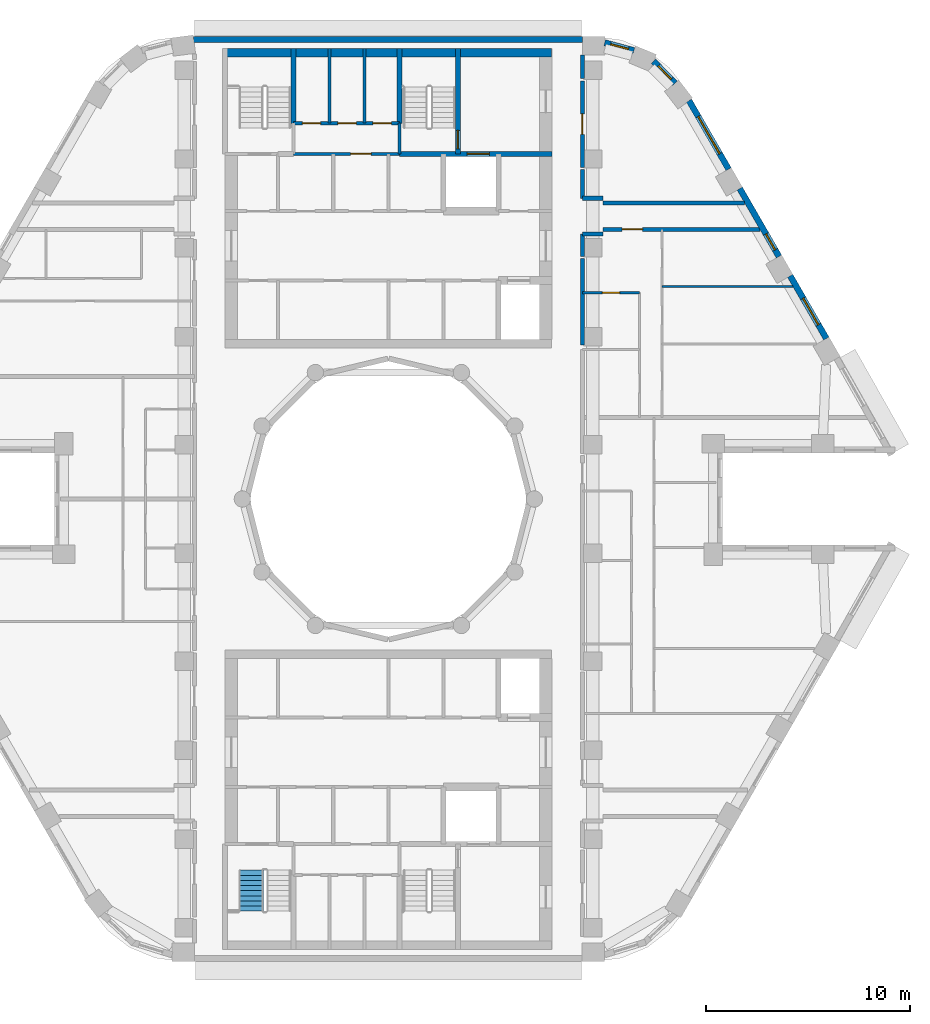
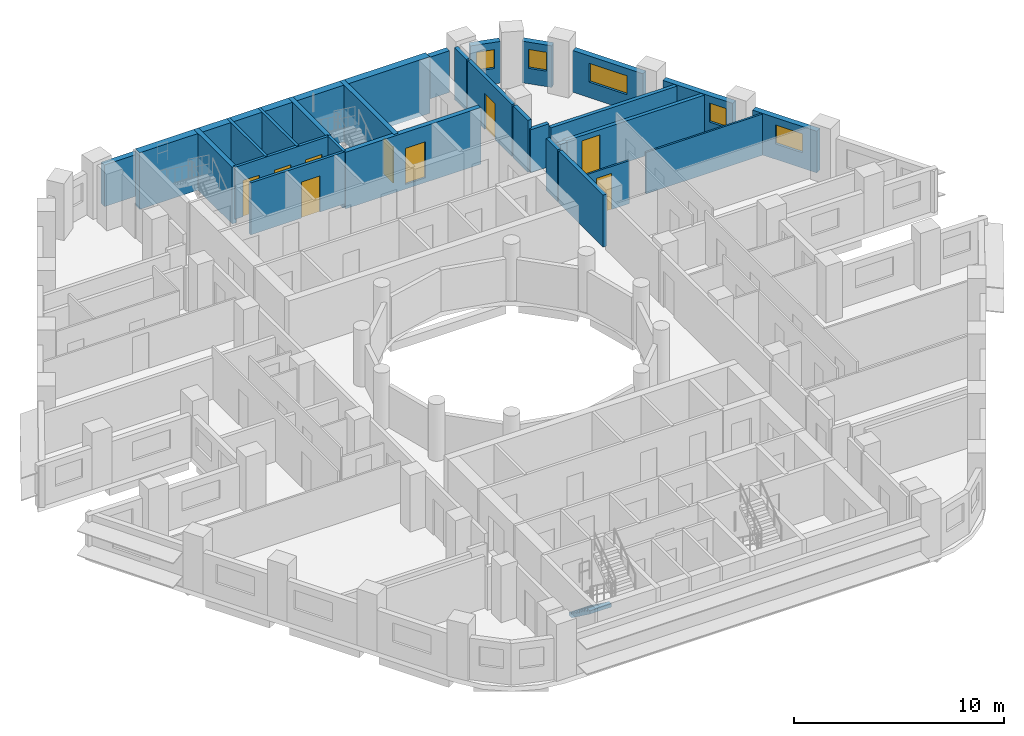
# One storey, part 8 of 12: 27 walls, 9 doors, 5 windows, 1 stair flight, 14 openings, 1 element without a shape of its own.
"""IFC4 building model written with IfcOpenShell, lengths in metres."""

from ifc_helpers import new_model, si_unit, direction, frame, frame_2d, origin, place, context, subcontext, project, spatial, polyline, rectangle, outline, extrude, material, layer, layer_set, type_object, element, fill, aggregate, save


model = new_model("IFC4")

# Units and contexts
model_context = context("Model", 3, precision=1e-05, world=origin(), true_north=direction((0.0, 1.0)))
body_context = subcontext(model_context, "Body", "Model", "MODEL_VIEW")
ifc_project = project(units=[si_unit("LENGTHUNIT", "METRE"), si_unit("AREAUNIT", "SQUARE_METRE"), si_unit("VOLUMEUNIT", "CUBIC_METRE"), si_unit("PLANEANGLEUNIT", "RADIAN"), si_unit("MASSUNIT", "GRAM", prefix="KILO")], contexts=[model_context])

# Site, building, storey
site_placement = place(None, origin())
site = spatial("IfcSite", under=ifc_project, at=site_placement, CompositionType="ELEMENT")
building_placement = place(site_placement, origin())
building = spatial("IfcBuilding", under=site, at=building_placement, Name="Nakaniwa Court", CompositionType="ELEMENT")
storey_placement = place(building_placement, frame((0.0, 0.0, 252.60009765625)))
storey = spatial("IfcBuildingStorey", under=building, at=storey_placement, Name="L66", CompositionType="ELEMENT", Elevation=252.60009765625)

# Walls
ifc_material_1 = material(Name="Acoustic double stud partition")
ifc_layer_1 = layer(ifc_material_1, 0.199951171875)
ifc_layer_set_1 = layer_set([ifc_layer_1], Name="Acoustic double stud partition")
wall_type_1 = type_object("IfcWallType", Name="Acoustic double stud partition 200", PredefinedType="PARTITIONING", material=ifc_layer_set_1)
wall_1_placement = place(storey_placement, frame((89.5, 87.537109375, 0.0), z_axis=(0.0, 0.0, 1.0), x_axis=(0.0, 1.0, 0.0)))
element("IfcWall", 1, at=wall_1_placement, inside=storey, type_object=wall_type_1, Name="Partition PW-065", PredefinedType="PARTITIONING", context=body_context, shape_type="SweptSolid", body=[
    extrude(rectangle(XDim=4.23583984375, YDim=0.199951171875, at=frame_2d((2.117919921875, 0.0))), origin(), (0.0, 0.0, 1.0), 3.02490234375),
])
wall_2_placement = place(storey_placement, frame((89.5, 91.886962890625, 0.0), z_axis=(0.0, 0.0, 1.0), x_axis=(0.0, 1.0, 0.0)))
element("IfcWall", 2, at=wall_2_placement, inside=storey, type_object=wall_type_1, Name="Partition PW-066", PredefinedType="PARTITIONING", context=body_context, shape_type="SweptSolid", body=[
    extrude(rectangle(XDim=1.091064453125, YDim=0.199951171875, at=frame_2d((0.54541015625, 0.0))), origin(), (0.0, 0.0, 1.0), 3.02490234375),
])
wall_3_placement = place(storey_placement, frame((89.5, 94.721923828125, 0.0), z_axis=(0.0, 0.0, 1.0), x_axis=(0.0, 1.0, 0.0)))
element("IfcWall", 3, at=wall_3_placement, inside=storey, type_object=wall_type_1, Name="Partition PW-067", PredefinedType="PARTITIONING", context=body_context, shape_type="SweptSolid", body=[
    extrude(rectangle(XDim=1.401123046875, YDim=0.199951171875, at=frame_2d((0.70068359375, 0.0))), origin(), (0.0, 0.0, 1.0), 3.02490234375),
])

# Wall, opening, door
wall_4_placement = place(storey_placement, frame((89.5, 100.472900390625, 0.0), z_axis=(0.0, 0.0, 1.0), x_axis=(0.0, -1.0, 0.0)))
wall_4 = element("IfcWall", 4, at=wall_4_placement, inside=storey, type_object=wall_type_1, Name="Partition PW-068", PredefinedType="PARTITIONING", context=body_context, shape_type="SweptSolid", body=[
    extrude(rectangle(XDim=4.23583984375, YDim=0.199951171875, at=frame_2d((2.117919921875, 0.0))), origin(), (0.0, 0.0, 1.0), 3.02490234375),
])
opening_1_placement = place(wall_4_placement, frame((1.617919921875, 0.0, 0.0)))
opening_1 = element("IfcOpeningElement", 5, at=opening_1_placement, cuts=wall_4, Name="Opening D-02-04", PredefinedType="OPENING", context=body_context, shape_type="SweptSolid", body=[
    extrude(rectangle(XDim=1.0, YDim=2.10009765625, at=frame_2d((0.5, 1.050048828125))), frame((0.0, 0.10986328125, 0.0), z_axis=(0.0, -1.0, 0.0), x_axis=(1.0, 0.0, 0.0)), (0.0, 0.0, 1.0), 0.219970703125),
])
ifc_material_2 = material(Name="Solid core timber door set, black veneer", Category="wood")
door_type_1 = type_object("IfcDoorType", Name="Internal door 1000", OperationType="NOTDEFINED", PredefinedType="DOOR", material=ifc_material_2)
door_1_placement = place(opening_1_placement, origin())
door_1 = element("IfcDoor", 6, at=door_1_placement, inside=storey, type_object=door_type_1, Name="Door D-02-04 L66-060", OperationType="SINGLE_SWING_LEFT", OverallHeight=2.10009765625, OverallWidth=1.0, PredefinedType="DOOR", context=body_context, shape_type="SweptSolid", body=[
    extrude(rectangle(XDim=1.0, YDim=2.10009765625, at=frame_2d((0.5, 1.050048828125))), frame((0.0, 0.02490234375, 0.0), z_axis=(0.0, -1.0, 0.0), x_axis=(1.0, 0.0, 0.0)), (0.0, 0.0, 1.0), 0.050048828125),
])
fill(opening_1, door_1)

# Wall
wall_5_placement = place(storey_placement, frame((89.5, 100.5869140625, 0.0), z_axis=(0.0, 0.0, 1.0), x_axis=(0.0, 1.0, 0.0)))
element("IfcWall", 7, at=wall_5_placement, inside=storey, type_object=wall_type_1, Name="Partition PW-069", PredefinedType="PARTITIONING", context=body_context, shape_type="SweptSolid", body=[
    extrude(rectangle(XDim=1.14599609375, YDim=0.199951171875, at=frame_2d((0.572998046875, 0.0))), origin(), (0.0, 0.0, 1.0), 3.02490234375),
])

# Wall, opening, door
wall_6_placement = place(storey_placement, frame((98.1865234375, 93.199951171875, 0.0), z_axis=(0.0, 0.0, 1.0), x_axis=(-1.0, 0.0, 0.0)))
wall_6 = element("IfcWall", 8, at=wall_6_placement, inside=storey, type_object=wall_type_1, Name="Partition PW-071", PredefinedType="PARTITIONING", context=body_context, shape_type="SweptSolid", body=[
    extrude(rectangle(XDim=7.6865234375, YDim=0.199951171875, at=frame_2d((3.84326171875, 0.0))), origin(), (0.0, 0.0, 1.0), 2.40478515625),
])
opening_2_placement = place(wall_6_placement, frame((5.737060546875, 0.0, 0.0)))
opening_2 = element("IfcOpeningElement", 9, at=opening_2_placement, cuts=wall_6, Name="Opening D-01-02", PredefinedType="OPENING", context=body_context, shape_type="SweptSolid", body=[
    extrude(rectangle(XDim=1.0, YDim=2.10009765625, at=frame_2d((0.5, 1.050048828125))), frame((0.0, 0.10986328125, 0.0), z_axis=(0.0, -1.0, 0.0), x_axis=(1.0, 0.0, 0.0)), (0.0, 0.0, 1.0), 0.219970703125),
])
door_type_2 = type_object("IfcDoorType", Name="Flat entrance door 1000", OperationType="NOTDEFINED", PredefinedType="DOOR", material=ifc_material_2)
door_2_placement = place(opening_2_placement, origin())
door_2 = element("IfcDoor", 10, at=door_2_placement, inside=storey, type_object=door_type_2, Name="Door D-01-02 L66-040", OperationType="SINGLE_SWING_LEFT", OverallHeight=2.10009765625, OverallWidth=1.0, PredefinedType="DOOR", context=body_context, shape_type="SweptSolid", body=[
    extrude(rectangle(XDim=1.0, YDim=2.10009765625, at=frame_2d((0.5, 1.050048828125))), frame((0.0, 0.02490234375, 0.0), z_axis=(0.0, -1.0, 0.0), x_axis=(1.0, 0.0, 0.0)), (0.0, 0.0, 1.0), 0.050048828125),
])
fill(opening_2, door_2)

# Walls
for number, where, z_axis, x_axis, name in (
    (11, (89.5, 92.97509765625, 0.0), (0.0, 0.0, 1.0), (1.0, 0.0, 0.0), "Partition PW-073"),
    (12, (89.5, 94.72509765625, 0.0), (0.0, 0.0, 1.0), (1.0, 0.0, 0.0), "Partition PW-075"),
):
    element("IfcWall", number, at=place(storey_placement, frame(where, z_axis=z_axis, x_axis=x_axis)), inside=storey, type_object=wall_type_1, Name=name, PredefinedType="PARTITIONING", context=body_context, shape_type="SweptSolid", body=[
        extrude(rectangle(XDim=1.0, YDim=0.199951171875, at=frame_2d((0.5, 0.0))), origin(), (0.0, 0.0, 1.0), 2.5048828125),
    ])
wall_7_placement = place(storey_placement, frame((90.5, 94.5, 0.0), z_axis=(0.0, 0.0, 1.0), x_axis=(1.0, 0.0, 0.0)))
element("IfcWall", 13, at=wall_7_placement, inside=storey, type_object=wall_type_1, Name="Partition PW-077", PredefinedType="PARTITIONING", context=body_context, shape_type="SweptSolid", body=[
    extrude(rectangle(XDim=6.93603515625, YDim=0.199951171875, at=frame_2d((3.468017578125, 0.0))), origin(), (0.0, 0.0, 1.0), 2.40478515625),
])

# Wall, opening, window
ifc_material_3 = material(Name="Charcoal ceramic cladding")
ifc_layer_2 = layer(ifc_material_3, 0.02, Name="Ceramic cladding")
ifc_material_4 = material(Name="Ventilated air cavity")
ifc_layer_3 = layer(ifc_material_4, 0.04, ventilated=True, Name="Ventilated cavity")
ifc_material_5 = material(Name="Mineral wool insulation")
ifc_layer_4 = layer(ifc_material_5, 0.1, Name="Insulation")
ifc_material_6 = material(Name="Cement bonded sheathing board")
ifc_layer_5 = layer(ifc_material_6, 0.012, Name="Sheathing")
ifc_material_7 = material(Name="Cold-formed galvanised stud frame with mineral wool infill")
ifc_layer_6 = layer(ifc_material_7, 0.1, Name="Stud frame")
ifc_material_8 = material(Name="Fire-rated gypsum plasterboard lining")
ifc_layer_7 = layer(ifc_material_8, 0.028, Name="Lining")
ifc_layer_set_2 = layer_set([ifc_layer_2, ifc_layer_3, ifc_layer_4, ifc_layer_5, ifc_layer_6, ifc_layer_7], Name="Charcoal ceramic faced external wall system")
wall_type_2 = type_object("IfcWallType", Name="Black ceramic faced external wall 300", PredefinedType="SOLIDWALL", material=ifc_layer_set_2)
wall_8_placement = place(storey_placement, frame((101.44580078125, 87.85498046875, 0.0), z_axis=(0.0, 0.0, 1.0), x_axis=(-0.500010404316, 0.866019396766, 0.0)))
wall_8 = element("IfcWall", 14, at=wall_8_placement, inside=storey, type_object=wall_type_2, Name="L66 external wall 03", PredefinedType="SOLIDWALL", context=body_context, shape_type="SweptSolid", body=[
    extrude(rectangle(XDim=3.54736328125, YDim=0.300048828125, at=frame_2d((1.773681640625, 0.0))), origin(), (0.0, 0.0, 1.0), 2.4248046875),
])
opening_3_placement = place(wall_8_placement, frame((0.780517578125, 0.0, 0.89990234375)))
opening_3 = element("IfcOpeningElement", 15, at=opening_3_placement, cuts=wall_8, Name="Opening W5.05", PredefinedType="OPENING", context=body_context, shape_type="SweptSolid", body=[
    extrude(rectangle(XDim=1.5, YDim=1.10009765625, at=frame_2d((0.75, 0.550048828125))), frame((0.0, 0.159912109375, 0.0), z_axis=(0.0, -1.0, 0.0), x_axis=(1.0, 0.0, 0.0)), (0.0, 0.0, 1.0), 0.320068359375),
])
ifc_material_9 = material(Name="Black anodised aluminium frame with dark low-E laminated double glazing", Category="aluminium")
window_type_1 = type_object("IfcWindowType", Name="Dark glass window 1500x1100 sill 900", PartitioningType="SINGLE_PANEL", PredefinedType="WINDOW", material=ifc_material_9)
window_1_placement = place(opening_3_placement, origin())
window_1 = element("IfcWindow", 16, at=window_1_placement, inside=storey, type_object=window_type_1, Name="L66 bedroom window 03-0", OverallHeight=1.10009765625, OverallWidth=1.5, PartitioningType="SINGLE_PANEL", PredefinedType="WINDOW", context=body_context, shape_type="SweptSolid", body=[
    extrude(rectangle(XDim=1.5, YDim=1.10009765625, at=frame_2d((0.75, 0.550048828125))), frame((0.0, 0.030029296875, 0.0), z_axis=(0.0, -1.0, 0.0), x_axis=(1.0, 0.0, 0.0)), (0.0, 0.0, 1.0), 0.06005859375),
])
fill(opening_3, window_1)

wall_9_placement = place(storey_placement, frame((99.126220703125, 91.87255859375, 0.0), z_axis=(0.0, 0.0, 1.0), x_axis=(-0.499984490703, 0.866034357896, 0.0)))
wall_9 = element("IfcWall", 17, at=wall_9_placement, inside=storey, type_object=wall_type_2, Name="L66 external wall 04", PredefinedType="SOLIDWALL", context=body_context, shape_type="SweptSolid", body=[
    extrude(rectangle(XDim=3.84423828125, YDim=0.300048828125, at=frame_2d((1.922119140625, 0.0))), origin(), (0.0, 0.0, 1.0), 2.4248046875),
])
opening_4_placement = place(wall_9_placement, frame((0.37744140625, 0.0, 0.89990234375)))
opening_4 = element("IfcOpeningElement", 18, at=opening_4_placement, cuts=wall_9, Name="Opening W9.06", PredefinedType="OPENING", context=body_context, shape_type="SweptSolid", body=[
    extrude(rectangle(XDim=0.89990234375, YDim=1.10009765625, at=frame_2d((0.449951171875, 0.550048828125))), frame((0.0, 0.159912109375, 0.0), z_axis=(0.0, -1.0, 0.0), x_axis=(1.0, 0.0, 0.0)), (0.0, 0.0, 1.0), 0.320068359375),
])
window_type_2 = type_object("IfcWindowType", Name="Dark glass window 900x1100 sill 900", PartitioningType="SINGLE_PANEL", PredefinedType="WINDOW", material=ifc_material_9)
window_2_placement = place(opening_4_placement, origin())
window_2 = element("IfcWindow", 19, at=window_2_placement, inside=storey, type_object=window_type_2, Name="L66 bedroom window 04-0", OverallHeight=1.10009765625, OverallWidth=0.89990234375, PartitioningType="SINGLE_PANEL", PredefinedType="WINDOW", context=body_context, shape_type="SweptSolid", body=[
    extrude(rectangle(XDim=0.89990234375, YDim=1.10009765625, at=frame_2d((0.449951171875, 0.550048828125))), frame((0.0, 0.030029296875, 0.0), z_axis=(0.0, -1.0, 0.0), x_axis=(1.0, 0.0, 0.0)), (0.0, 0.0, 1.0), 0.06005859375),
])
fill(opening_4, window_2)

wall_10_placement = place(storey_placement, frame((96.657958984375, 96.1474609375, 0.0), z_axis=(0.0, 0.0, 1.0), x_axis=(-0.500011218404, 0.866018926739, 0.0)))
wall_10 = element("IfcWall", 20, at=wall_10_placement, inside=storey, type_object=wall_type_2, Name="L66 external wall 05", PredefinedType="SOLIDWALL", context=body_context, shape_type="SweptSolid", body=[
    extrude(rectangle(XDim=3.87890625, YDim=0.300048828125, at=frame_2d((1.939453125, 0.0))), origin(), (0.0, 0.0, 1.0), 2.4248046875),
])
opening_5_placement = place(wall_10_placement, frame((0.878173828125, 0.0, 0.89990234375)))
opening_5 = element("IfcOpeningElement", 21, at=opening_5_placement, cuts=wall_10, Name="Opening W7.07", PredefinedType="OPENING", context=body_context, shape_type="SweptSolid", body=[
    extrude(rectangle(XDim=2.10009765625, YDim=1.10009765625, at=frame_2d((1.050048828125, 0.550048828125))), frame((0.0, 0.159912109375, 0.0), z_axis=(0.0, -1.0, 0.0), x_axis=(1.0, 0.0, 0.0)), (0.0, 0.0, 1.0), 0.320068359375),
])
window_type_3 = type_object("IfcWindowType", Name="Dark glass window 2100x1100 sill 900", PartitioningType="SINGLE_PANEL", PredefinedType="WINDOW", material=ifc_material_9)
window_3_placement = place(opening_5_placement, origin())
window_3 = element("IfcWindow", 22, at=window_3_placement, inside=storey, type_object=window_type_3, Name="L66 habitable room window 05-0", OverallHeight=1.10009765625, OverallWidth=2.10009765625, PartitioningType="SINGLE_PANEL", PredefinedType="WINDOW", context=body_context, shape_type="SweptSolid", body=[
    extrude(rectangle(XDim=2.10009765625, YDim=1.10009765625, at=frame_2d((1.050048828125, 0.550048828125))), frame((0.0, 0.030029296875, 0.0), z_axis=(0.0, -1.0, 0.0), x_axis=(1.0, 0.0, 0.0)), (0.0, 0.0, 1.0), 0.06005859375),
])
fill(opening_5, window_3)

wall_11_placement = place(storey_placement, frame((94.0341796875, 100.3583984375, 0.0), z_axis=(0.0, 0.0, 1.0), x_axis=(-0.698675602211, 0.71543860874, 0.0)))
wall_11 = element("IfcWall", 23, at=wall_11_placement, inside=storey, type_object=wall_type_2, Name="L66 external wall 06", PredefinedType="SOLIDWALL", context=body_context, shape_type="SweptSolid", body=[
    extrude(rectangle(XDim=1.5, YDim=0.300048828125, at=frame_2d((0.75, 0.0))), origin(), (0.0, 0.0, 1.0), 2.4248046875),
])
opening_6_placement = place(wall_11_placement, frame((0.27587890625, 0.0, 0.89990234375)))
opening_6 = element("IfcOpeningElement", 24, at=opening_6_placement, cuts=wall_11, Name="Opening W9.08", PredefinedType="OPENING", context=body_context, shape_type="SweptSolid", body=[
    extrude(rectangle(XDim=0.89990234375, YDim=1.10009765625, at=frame_2d((0.449951171875, 0.550048828125))), frame((0.0, 0.159912109375, 0.0), z_axis=(0.0, -1.0, 0.0), x_axis=(1.0, 0.0, 0.0)), (0.0, 0.0, 1.0), 0.320068359375),
])
window_4_placement = place(opening_6_placement, origin())
window_4 = element("IfcWindow", 25, at=window_4_placement, inside=storey, type_object=window_type_2, Name="L66 habitable room window 06-0", OverallHeight=1.10009765625, OverallWidth=0.89990234375, PartitioningType="SINGLE_PANEL", PredefinedType="WINDOW", context=body_context, shape_type="SweptSolid", body=[
    extrude(rectangle(XDim=0.89990234375, YDim=1.10009765625, at=frame_2d((0.449951171875, 0.550048828125))), frame((0.0, 0.030029296875, 0.0), z_axis=(0.0, -1.0, 0.0), x_axis=(1.0, 0.0, 0.0)), (0.0, 0.0, 1.0), 0.06005859375),
])
fill(opening_6, window_4)

wall_12_placement = place(storey_placement, frame((92.02099609375, 101.956298828125, 0.0), z_axis=(0.0, 0.0, 1.0), x_axis=(-0.965392564919, 0.260801065181, 0.0)))
wall_12 = element("IfcWall", 26, at=wall_12_placement, inside=storey, type_object=wall_type_2, Name="L66 external wall 07", PredefinedType="SOLIDWALL", context=body_context, shape_type="SweptSolid", body=[
    extrude(rectangle(XDim=1.48095703125, YDim=0.300048828125, at=frame_2d((0.740478515625, 0.0))), origin(), (0.0, 0.0, 1.0), 2.4248046875),
])
opening_7_placement = place(wall_12_placement, frame((0.280029296875, 0.0, 0.89990234375)))
opening_7 = element("IfcOpeningElement", 27, at=opening_7_placement, cuts=wall_12, Name="Opening W9.09", PredefinedType="OPENING", context=body_context, shape_type="SweptSolid", body=[
    extrude(rectangle(XDim=0.89990234375, YDim=1.10009765625, at=frame_2d((0.449951171875, 0.550048828125))), frame((0.0, 0.159912109375, 0.0), z_axis=(0.0, -1.0, 0.0), x_axis=(1.0, 0.0, 0.0)), (0.0, 0.0, 1.0), 0.320068359375),
])
window_5_placement = place(opening_7_placement, origin())
window_5 = element("IfcWindow", 28, at=window_5_placement, inside=storey, type_object=window_type_2, Name="L66 habitable room window 07-0", OverallHeight=1.10009765625, OverallWidth=0.89990234375, PartitioningType="SINGLE_PANEL", PredefinedType="WINDOW", context=body_context, shape_type="SweptSolid", body=[
    extrude(rectangle(XDim=0.89990234375, YDim=1.10009765625, at=frame_2d((0.449951171875, 0.550048828125))), frame((0.0, 0.030029296875, 0.0), z_axis=(0.0, -1.0, 0.0), x_axis=(1.0, 0.0, 0.0)), (0.0, 0.0, 1.0), 0.06005859375),
])
fill(opening_7, window_5)

# Wall
wall_13_placement = place(storey_placement, frame((89.499267578125, 102.5, 0.0), z_axis=(0.0, 0.0, 1.0), x_axis=(-1.0, 0.0, 0.0)))
element("IfcWall", 29, at=wall_13_placement, inside=storey, type_object=wall_type_2, Name="L66 external wall 08", PredefinedType="SOLIDWALL", context=body_context, shape_type="SweptSolid", body=[
    extrude(rectangle(XDim=19.033447265625, YDim=0.300048828125, at=frame_2d((9.5166015625, 0.0))), origin(), (0.0, 0.0, 1.0), 2.4248046875),
])

# Wall, opening, door
ifc_material_10 = material(Name="Blockwork partition", Category="masonry")
ifc_layer_8 = layer(ifc_material_10, 0.14990234375)
ifc_layer_set_3 = layer_set([ifc_layer_8], Name="Blockwork partition")
wall_type_3 = type_object("IfcWallType", Name="Blockwork partition 150", PredefinedType="PARTITIONING", material=ifc_layer_set_3)
wall_14_placement = place(storey_placement, frame((75.346923828125, 96.89990234375, 0.0), z_axis=(0.0, 0.0, 1.0), x_axis=(1.0, 0.0, 0.0)))
wall_14 = element("IfcWall", 30, at=wall_14_placement, inside=storey, type_object=wall_type_3, Name="Partition PW-019", PredefinedType="PARTITIONING", context=body_context, shape_type="SweptSolid", body=[
    extrude(rectangle(XDim=5.2060546875, YDim=0.14990234375, at=frame_2d((2.60302734375, 0.0))), origin(), (0.0, 0.0, 1.0), 3.02490234375),
])
opening_8_placement = place(wall_14_placement, frame((2.802978515625, 0.0, 0.0)))
opening_8 = element("IfcOpeningElement", 31, at=opening_8_placement, cuts=wall_14, Name="Opening D-23-01", PredefinedType="OPENING", context=body_context, shape_type="SweptSolid", body=[
    extrude(rectangle(XDim=1.0, YDim=2.10009765625, at=frame_2d((0.5, 1.050048828125))), frame((0.0, 0.0849609375, 0.0), z_axis=(0.0, -1.0, 0.0), x_axis=(1.0, 0.0, 0.0)), (0.0, 0.0, 1.0), 0.169921875),
])
ifc_material_11 = material(Name="Fire rated steel door set", Category="steel")
door_type_3 = type_object("IfcDoorType", Name="Service room door 1000", OperationType="NOTDEFINED", PredefinedType="DOOR", material=ifc_material_11)
door_3_placement = place(opening_8_placement, origin())
door_3 = element("IfcDoor", 32, at=door_3_placement, inside=storey, type_object=door_type_3, Name="Door D-23-01 L66-010", OperationType="SINGLE_SWING_LEFT", OverallHeight=2.10009765625, OverallWidth=1.0, PredefinedType="DOOR", context=body_context, shape_type="SweptSolid", body=[
    extrude(rectangle(XDim=1.0, YDim=2.10009765625, at=frame_2d((0.5, 1.050048828125))), frame((0.0, 0.02490234375, 0.0), z_axis=(0.0, -1.0, 0.0), x_axis=(1.0, 0.0, 0.0)), (0.0, 0.0, 1.0), 0.050048828125),
])
fill(opening_8, door_3)

# Wall, openings, doors
wall_15_placement = place(storey_placement, frame((75.35009765625, 98.39990234375, 0.0), z_axis=(0.0, 0.0, 1.0), x_axis=(1.0, 0.0, 0.0)))
wall_15 = element("IfcWall", 33, at=wall_15_placement, inside=storey, type_object=wall_type_3, Name="Partition PW-027", PredefinedType="PARTITIONING", context=body_context, shape_type="SweptSolid", body=[
    extrude(rectangle(XDim=5.199951171875, YDim=0.14990234375, at=frame_2d((2.60009765625, 0.0))), origin(), (0.0, 0.0, 1.0), 3.02490234375),
])
opening_9_placement = place(wall_15_placement, frame((0.43408203125, 0.0, 0.0)))
opening_9 = element("IfcOpeningElement", 34, at=opening_9_placement, cuts=wall_15, Name="Opening D-05-08", PredefinedType="OPENING", context=body_context, shape_type="SweptSolid", body=[
    extrude(rectangle(XDim=0.89990234375, YDim=2.10009765625, at=frame_2d((0.449951171875, 1.050048828125))), frame((0.0, 0.0849609375, 0.0), z_axis=(0.0, -1.0, 0.0), x_axis=(1.0, 0.0, 0.0)), (0.0, 0.0, 1.0), 0.169921875),
])
opening_10_placement = place(wall_15_placement, frame((2.176025390625, 0.0, 0.0)))
opening_10 = element("IfcOpeningElement", 35, at=opening_10_placement, cuts=wall_15, Name="Opening D-05-09", PredefinedType="OPENING", context=body_context, shape_type="SweptSolid", body=[
    extrude(rectangle(XDim=0.89990234375, YDim=2.10009765625, at=frame_2d((0.449951171875, 1.050048828125))), frame((0.0, 0.0849609375, 0.0), z_axis=(0.0, -1.0, 0.0), x_axis=(1.0, 0.0, 0.0)), (0.0, 0.0, 1.0), 0.169921875),
])
opening_11_placement = place(wall_15_placement, frame((3.89208984375, 0.0, 0.0)))
opening_11 = element("IfcOpeningElement", 36, at=opening_11_placement, cuts=wall_15, Name="Opening D-05-10", PredefinedType="OPENING", context=body_context, shape_type="SweptSolid", body=[
    extrude(rectangle(XDim=0.89990234375, YDim=2.10009765625, at=frame_2d((0.449951171875, 1.050048828125))), frame((0.0, 0.0849609375, 0.0), z_axis=(0.0, -1.0, 0.0), x_axis=(1.0, 0.0, 0.0)), (0.0, 0.0, 1.0), 0.169921875),
])
door_type_4 = type_object("IfcDoorType", Name="Service room door 900", OperationType="NOTDEFINED", PredefinedType="DOOR", material=ifc_material_11)
door_4_placement = place(opening_9_placement, origin())
door_4 = element("IfcDoor", 37, at=door_4_placement, inside=storey, type_object=door_type_4, Name="Door D-05-08 L66-011", OperationType="SINGLE_SWING_RIGHT", OverallHeight=2.10009765625, OverallWidth=0.89990234375, PredefinedType="DOOR", context=body_context, shape_type="SweptSolid", body=[
    extrude(rectangle(XDim=0.89990234375, YDim=2.10009765625, at=frame_2d((0.449951171875, 1.050048828125))), frame((0.0, 0.02490234375, 0.0), z_axis=(0.0, -1.0, 0.0), x_axis=(1.0, 0.0, 0.0)), (0.0, 0.0, 1.0), 0.050048828125),
])
fill(opening_9, door_4)
door_5_placement = place(opening_10_placement, origin())
door_5 = element("IfcDoor", 38, at=door_5_placement, inside=storey, type_object=door_type_4, Name="Door D-05-09 L66-012", OperationType="SINGLE_SWING_LEFT", OverallHeight=2.10009765625, OverallWidth=0.89990234375, PredefinedType="DOOR", context=body_context, shape_type="SweptSolid", body=[
    extrude(rectangle(XDim=0.89990234375, YDim=2.10009765625, at=frame_2d((0.449951171875, 1.050048828125))), frame((0.0, 0.02490234375, 0.0), z_axis=(0.0, -1.0, 0.0), x_axis=(1.0, 0.0, 0.0)), (0.0, 0.0, 1.0), 0.050048828125),
])
fill(opening_10, door_5)
door_6_placement = place(opening_11_placement, origin())
door_6 = element("IfcDoor", 39, at=door_6_placement, inside=storey, type_object=door_type_4, Name="Door D-05-10 L66-013", OperationType="SINGLE_SWING_RIGHT", OverallHeight=2.10009765625, OverallWidth=0.89990234375, PredefinedType="DOOR", context=body_context, shape_type="SweptSolid", body=[
    extrude(rectangle(XDim=0.89990234375, YDim=2.10009765625, at=frame_2d((0.449951171875, 1.050048828125))), frame((0.0, 0.02490234375, 0.0), z_axis=(0.0, -1.0, 0.0), x_axis=(1.0, 0.0, 0.0)), (0.0, 0.0, 1.0), 0.050048828125),
])
fill(opening_11, door_6)

# Walls
for number, where, z_axis, x_axis, name in (
    (40, (77.117919921875, 98.39990234375, 0.0), (0.0, 0.0, 1.0), (0.0, 1.0, 0.0), "Partition PW-028"),
    (41, (78.833984375, 98.39990234375, 0.0), (0.0, 0.0, 1.0), (0.0, 1.0, 0.0), "Partition PW-029"),
):
    element("IfcWall", number, at=place(storey_placement, frame(where, z_axis=z_axis, x_axis=x_axis)), inside=storey, type_object=wall_type_3, Name=name, PredefinedType="PARTITIONING", context=body_context, shape_type="SweptSolid", body=[
        extrude(rectangle(XDim=3.650146484375, YDim=0.14990234375, at=frame_2d((1.8251953125, 0.0))), origin(), (0.0, 0.0, 1.0), 3.02490234375),
    ])
ifc_material_12 = material(Name="Concrete C80/100", Category="concrete")
ifc_layer_9 = layer(ifc_material_12, 0.14990234375)
ifc_layer_set_4 = layer_set([ifc_layer_9], Name="Concrete C80/100")
wall_type_4 = type_object("IfcWallType", Name="Concrete core wall 150 C80", PredefinedType="SHEAR", material=ifc_layer_set_4)
wall_16_placement = place(storey_placement, frame((80.550048828125, 96.89990234375, -0.275146484375), z_axis=(0.0, 0.0, 1.0), x_axis=(0.0, 1.0, 0.0)))
element("IfcWall", 42, at=wall_16_placement, inside=storey, type_object=wall_type_4, Name="Core wall SW-25", PredefinedType="SHEAR", context=body_context, shape_type="SweptSolid", body=[
    extrude(rectangle(XDim=1.503173828125, YDim=0.14990234375, at=frame_2d((0.75146484375, 0.0))), origin(), (0.0, 0.0, 1.0), 3.300048828125),
])
ifc_layer_10 = layer(ifc_material_12, 0.39990234375)
ifc_layer_set_5 = layer_set([ifc_layer_10], Name="Concrete C80/100")
wall_type_5 = type_object("IfcWallType", Name="Concrete core wall 400 C80", PredefinedType="SHEAR", material=ifc_layer_set_5)
wall_17_placement = place(storey_placement, frame((72.00390625, 101.85009765625, -0.275146484375), z_axis=(0.0, 0.0, 1.0), x_axis=(1.0, 0.0, 0.0)))
element("IfcWall", 43, at=wall_17_placement, inside=storey, type_object=wall_type_5, Name="Core wall SW-126", PredefinedType="SHEAR", context=body_context, shape_type="SweptSolid", body=[
    extrude(rectangle(XDim=15.9921875, YDim=0.39990234375, at=frame_2d((7.99609375, 0.0))), origin(), (0.0, 0.0, 1.0), 3.300048828125),
])

# Wall, opening, door
ifc_layer_11 = layer(ifc_material_12, 0.25)
ifc_layer_set_6 = layer_set([ifc_layer_11], Name="Concrete C80/100")
wall_type_6 = type_object("IfcWallType", Name="Concrete shaft wall 250 C80", PredefinedType="SHEAR", material=ifc_layer_set_6)
wall_18_placement = place(storey_placement, frame((80.547119140625, 96.89990234375, -0.275146484375), z_axis=(0.0, 0.0, 1.0), x_axis=(1.0, 0.0, 0.0)))
wall_18 = element("IfcWall", 44, at=wall_18_placement, inside=storey, type_object=wall_type_6, Name="Core wall SW-18", PredefinedType="SHEAR", context=body_context, shape_type="SweptSolid", body=[
    extrude(rectangle(XDim=7.452880859375, YDim=0.25, at=frame_2d((3.7265625, 0.0))), origin(), (0.0, 0.0, 1.0), 3.300048828125),
])
opening_12_placement = place(wall_18_placement, frame((3.302001953125, 0.0, 0.27490234375)))
opening_12 = element("IfcOpeningElement", 45, at=opening_12_placement, cuts=wall_18, Name="Opening LD02", PredefinedType="OPENING", context=body_context, shape_type="SweptSolid", body=[
    extrude(rectangle(XDim=1.10009765625, YDim=2.10009765625, at=frame_2d((0.550048828125, 1.050048828125))), frame((0.0, 0.135009765625, 0.0), z_axis=(0.0, -1.0, 0.0), x_axis=(1.0, 0.0, 0.0)), (0.0, 0.0, 1.0), 0.27001953125),
])
ifc_material_13 = material(Name="Stainless steel sliding lift landing door", Category="steel")
door_type_5 = type_object("IfcDoorType", Name="Lift landing door 1100", OperationType="NOTDEFINED", PredefinedType="DOOR", material=ifc_material_13)
door_7_placement = place(opening_12_placement, origin())
door_7 = element("IfcDoor", 46, at=door_7_placement, inside=storey, type_object=door_type_5, Name="Lift landing door LD02 L66-002", OperationType="SLIDING_TO_LEFT", OverallHeight=2.10009765625, OverallWidth=1.10009765625, PredefinedType="DOOR", context=body_context, shape_type="SweptSolid", body=[
    extrude(rectangle(XDim=1.10009765625, YDim=2.10009765625, at=frame_2d((0.550048828125, 1.050048828125))), frame((0.0, 0.02490234375, 0.0), z_axis=(0.0, -1.0, 0.0), x_axis=(1.0, 0.0, 0.0)), (0.0, 0.0, 1.0), 0.050048828125),
])
fill(opening_12, door_7)

# Wall
wall_19_placement = place(storey_placement, frame((75.35009765625, 98.39697265625, -0.275146484375), z_axis=(0.0, 0.0, 1.0), x_axis=(0.0, 1.0, 0.0)))
element("IfcWall", 47, at=wall_19_placement, inside=storey, type_object=wall_type_6, Name="Core wall SW-22", PredefinedType="SHEAR", context=body_context, shape_type="SweptSolid", body=[
    extrude(rectangle(XDim=3.653076171875, YDim=0.25, at=frame_2d((1.82666015625, 0.0))), origin(), (0.0, 0.0, 1.0), 3.300048828125),
])

# Wall, opening, door
wall_20_placement = place(storey_placement, frame((83.39990234375, 102.050048828125, -0.275146484375), z_axis=(0.0, 0.0, 1.0), x_axis=(0.0, -1.0, 0.0)))
wall_20 = element("IfcWall", 48, at=wall_20_placement, inside=storey, type_object=wall_type_6, Name="Core wall SW-24", PredefinedType="SHEAR", context=body_context, shape_type="SweptSolid", body=[
    extrude(rectangle(XDim=5.150146484375, YDim=0.25, at=frame_2d((2.5751953125, 0.0))), origin(), (0.0, 0.0, 1.0), 3.300048828125),
])
opening_13_placement = place(wall_20_placement, frame((4.0, 0.0, 0.27490234375)))
opening_13 = element("IfcOpeningElement", 49, at=opening_13_placement, cuts=wall_20, Name="Opening D-11-01", PredefinedType="OPENING", context=body_context, shape_type="SweptSolid", body=[
    extrude(rectangle(XDim=0.89990234375, YDim=2.10009765625, at=frame_2d((0.449951171875, 1.050048828125))), frame((0.0, 0.135009765625, 0.0), z_axis=(0.0, -1.0, 0.0), x_axis=(1.0, 0.0, 0.0)), (0.0, 0.0, 1.0), 0.27001953125),
])
door_type_6 = type_object("IfcDoorType", Name="Stair door 900", OperationType="NOTDEFINED", PredefinedType="DOOR", material=ifc_material_11)
door_8_placement = place(opening_13_placement, origin())
door_8 = element("IfcDoor", 50, at=door_8_placement, inside=storey, type_object=door_type_6, Name="Door D-11-01 L66-015", OperationType="SINGLE_SWING_LEFT", OverallHeight=2.10009765625, OverallWidth=0.89990234375, PredefinedType="DOOR", context=body_context, shape_type="SweptSolid", body=[
    extrude(rectangle(XDim=0.89990234375, YDim=2.10009765625, at=frame_2d((0.449951171875, 1.050048828125))), frame((0.0, 0.02490234375, 0.0), z_axis=(0.0, -1.0, 0.0), x_axis=(1.0, 0.0, 0.0)), (0.0, 0.0, 1.0), 0.050048828125),
])
fill(opening_13, door_8)

# Wall
wall_21_placement = place(storey_placement, frame((80.550048828125, 98.39697265625, -0.275146484375), z_axis=(0.0, 0.0, 1.0), x_axis=(0.0, 1.0, 0.0)))
element("IfcWall", 51, at=wall_21_placement, inside=storey, type_object=wall_type_6, Name="Core wall SW-26", PredefinedType="SHEAR", context=body_context, shape_type="SweptSolid", body=[
    extrude(rectangle(XDim=3.653076171875, YDim=0.25, at=frame_2d((1.82666015625, 0.0))), origin(), (0.0, 0.0, 1.0), 3.300048828125),
])

# Wall, opening, door
ifc_material_14 = material(Name="Single stud plasterboard partition")
ifc_layer_12 = layer(ifc_material_14, 0.10009765625)
ifc_layer_set_7 = layer_set([ifc_layer_12], Name="Single stud plasterboard partition")
wall_type_7 = type_object("IfcWallType", Name="Single stud plasterboard partition 100", PredefinedType="PARTITIONING", material=ifc_layer_set_7)
wall_22_placement = place(storey_placement, frame((92.300048828125, 90.10009765625, 0.0), z_axis=(0.0, 0.0, 1.0), x_axis=(-1.0, 0.0, 0.0)))
wall_22 = element("IfcWall", 52, at=wall_22_placement, inside=storey, type_object=wall_type_7, Name="Partition PW-108", PredefinedType="PARTITIONING", context=body_context, shape_type="SweptSolid", body=[
    extrude(rectangle(XDim=2.800048828125, YDim=0.10009765625, at=frame_2d((1.39990234375, 0.0))), origin(), (0.0, 0.0, 1.0), 2.5048828125),
])
opening_14_placement = place(wall_22_placement, frame((0.97509765625, 0.0, 0.0)))
opening_14 = element("IfcOpeningElement", 53, at=opening_14_placement, cuts=wall_22, Name="Opening D-03-03", PredefinedType="OPENING", context=body_context, shape_type="SweptSolid", body=[
    extrude(rectangle(XDim=0.85009765625, YDim=2.10009765625, at=frame_2d((0.425048828125, 1.050048828125))), frame((0.0, 0.06005859375, 0.0), z_axis=(0.0, -1.0, 0.0), x_axis=(1.0, 0.0, 0.0)), (0.0, 0.0, 1.0), 0.1201171875),
])
ifc_material_15 = material(Name="Moisture sealed timber door set", Category="wood")
door_type_7 = type_object("IfcDoorType", Name="Bathroom door 850", OperationType="NOTDEFINED", PredefinedType="DOOR", material=ifc_material_15)
door_9_placement = place(opening_14_placement, origin())
door_9 = element("IfcDoor", 54, at=door_9_placement, inside=storey, type_object=door_type_7, Name="Door D-03-03 L66-042", OperationType="SINGLE_SWING_LEFT", OverallHeight=2.10009765625, OverallWidth=0.85009765625, PredefinedType="DOOR", context=body_context, shape_type="SweptSolid", body=[
    extrude(rectangle(XDim=0.85009765625, YDim=2.10009765625, at=frame_2d((0.425048828125, 1.050048828125))), frame((0.0, 0.02490234375, 0.0), z_axis=(0.0, -1.0, 0.0), x_axis=(1.0, 0.0, 0.0)), (0.0, 0.0, 1.0), 0.050048828125),
])
fill(opening_14, door_9)

# Wall
wall_23_placement = place(storey_placement, frame((93.39990234375, 90.39990234375, 0.0), z_axis=(0.0, 0.0, 1.0), x_axis=(1.0, 0.0, 0.0)))
element("IfcWall", 55, at=wall_23_placement, inside=storey, type_object=wall_type_7, Name="Partition PW-111", PredefinedType="PARTITIONING", context=body_context, shape_type="SweptSolid", body=[
    extrude(rectangle(XDim=6.4033203125, YDim=0.10009765625, at=frame_2d((3.20166015625, 0.0))), origin(), (0.0, 0.0, 1.0), 2.40478515625),
])

# Stair, stair flight
stair_type = type_object("IfcStairType", Name="Dog leg stair 1200 wide 18 risers", PredefinedType="HALF_TURN_STAIR", material=ifc_material_12)
stair_placement = place(storey_placement, origin())
stair = element("IfcStair", 56, at=stair_placement, inside=storey, type_object=stair_type, Name="L66 Stair ST3", PredefinedType="HALF_TURN_STAIR")
stair_flight_type = type_object("IfcStairFlightType", Name="Stair flight 1200 wide 9 risers", PredefinedType="STRAIGHT", material=ifc_material_12)
stair_flight_placement = place(storey_placement, frame((73.27490234375, 61.824951171875, 0.0), z_axis=(0.0, 0.0, 1.0), x_axis=(0.0, -1.0, 0.0)))
stair_flight = element("IfcStairFlight", 57, at=stair_flight_placement, type_object=stair_flight_type, Name="ST3 flight 1", NumberOfRisers=9, NumberOfTreads=8, PredefinedType="STRAIGHT", RiserHeight=0.183333333, TreadLength=0.25, context=body_context, shape_type="SweptSolid", body=[
    extrude(outline(polyline([(0.0, 0.0), (0.0, 0.026123046875), (0.0, 0.052490234375), (0.0, 0.07861328125), (0.0, 0.104736328125), (0.0, 0.130859375), (0.0, 0.1572265625), (0.0, 0.183349609375), (0.25, 0.183349609375), (0.25, 0.36669921875), (0.5, 0.36669921875), (0.5, 0.550048828125), (0.75, 0.550048828125), (0.75, 0.7333984375), (1.0, 0.7333984375), (1.0, 0.916748046875), (1.25, 0.916748046875), (1.25, 1.10009765625), (1.5, 1.10009765625), (1.5, 1.283447265625), (1.75, 1.283447265625), (1.75, 1.466552734375), (2.0, 1.466552734375), (2.0, 1.64990234375), (2.0, 1.59716796875), (2.0, 1.54443359375), (2.0, 1.49169921875), (2.0, 1.43896484375), (2.0, 1.38623046875), (2.0, 1.33349609375), (2.0, 1.28076171875), (0.25341796875, 0.0), (0.0, 0.0)])), frame((0.0, 0.60009765625, 0.0), z_axis=(0.0, -1.0, 0.0), x_axis=(1.0, 0.0, 0.0)), (0.0, 0.0, 1.0), 1.199951171875),
])
aggregate(stair, [stair_flight])

save(model, "model.ifc")
